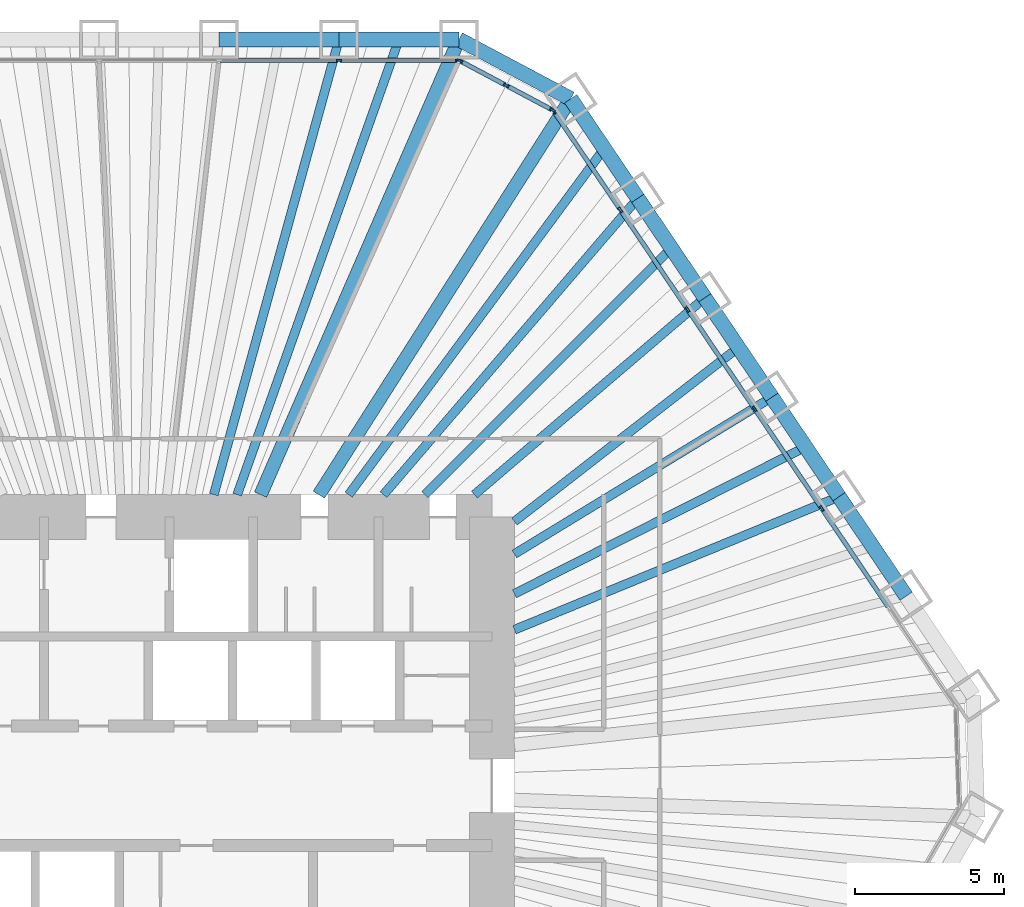
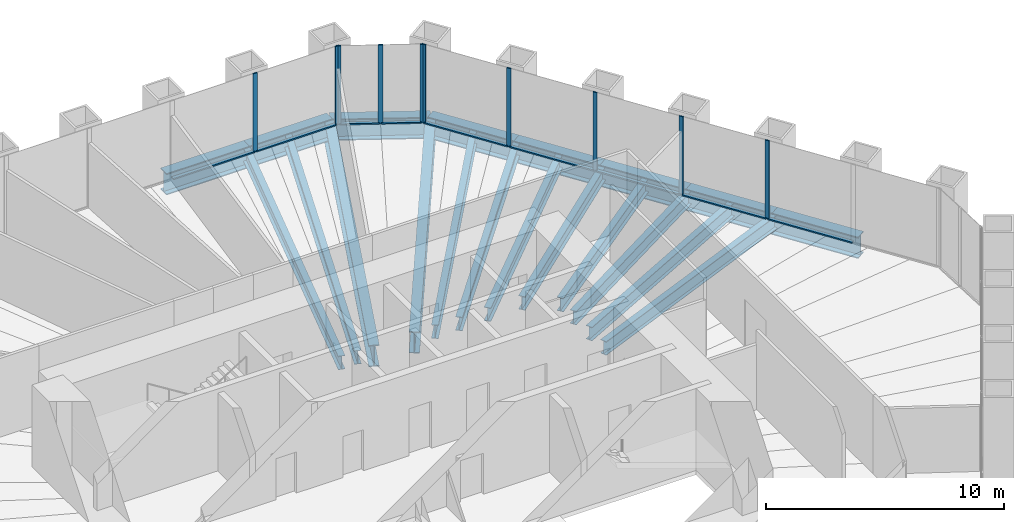
# One storey, part 7 of 13: 20 beams, 19 members, 3 elements without a shape of their own.
"""IFC4 building model written with IfcOpenShell, lengths in metres."""

from ifc_helpers import new_model, si_unit, direction, frame, origin, origin_2d, place, context, subcontext, project, spatial, rectangle, i_section, extrude, material, material_profile, profile_set, type_object, element, aggregate, save


model = new_model("IFC4")

# Units and contexts
model_context = context("Model", 3, precision=1e-05, world=origin(), true_north=direction((0.0, 1.0)))
body_context = subcontext(model_context, "Body", "Model", "MODEL_VIEW")
ifc_project = project(units=[si_unit("LENGTHUNIT", "METRE"), si_unit("AREAUNIT", "SQUARE_METRE"), si_unit("VOLUMEUNIT", "CUBIC_METRE"), si_unit("PLANEANGLEUNIT", "RADIAN"), si_unit("MASSUNIT", "GRAM", prefix="KILO")], contexts=[model_context])

# Site, building, storey
site_placement = place(None, origin())
site = spatial("IfcSite", under=ifc_project, at=site_placement, CompositionType="ELEMENT")
building_placement = place(site_placement, origin())
building = spatial("IfcBuilding", under=site, at=building_placement, Name="Qingtian Harvest Tower", CompositionType="ELEMENT")
storey_placement = place(building_placement, frame((0.0, 0.0, 136.60009765625)))
storey = spatial("IfcBuildingStorey", under=building, at=storey_placement, Name="L28", CompositionType="ELEMENT", Elevation=136.60009765625)

# Beams
ifc_material_1 = material(Name="Steel SM570MC", Category="steel")
ifc_material_profile_1 = material_profile(ifc_material_1, i_section(OverallWidth=0.449951171875, OverallDepth=1.10009765625, WebThickness=0.02197265625, FlangeThickness=0.044921875, at=origin_2d()), Name="H1100x450x22x45")
ifc_profile_set_1 = profile_set([ifc_material_profile_1], Name="Steel SM570MC")
beam_type_1 = type_object("IfcBeamType", Name="Corner floor beam FB8 H1100x450x22x45", PredefinedType="BEAM", material=ifc_profile_set_1)
beam_1_placement = place(storey_placement, frame((10.892822265625, 25.0, -0.72021484375), z_axis=(-0.399451016538, -0.916754539333, 0.0), x_axis=(0.916754539333, -0.399451016538, 0.0)))
element("IfcBeam", 1, at=beam_1_placement, inside=storey, type_object=beam_type_1, Name="Floor beam FB8 N6", PredefinedType="BEAM", context=body_context, shape_type="SweptSolid", body=[
    extrude(i_section(OverallWidth=0.449951171875, OverallDepth=1.10009765625, WebThickness=0.02197265625, FlangeThickness=0.044921875, at=origin_2d()), origin(), (0.0, 0.0, 1.0), 16.634765625),
])
beam_2_placement = place(storey_placement, frame((14.634765625, 23.01025390625, -0.72021484375), z_axis=(-0.536660352939, -0.843798355997, 0.0), x_axis=(0.843798355997, -0.536660352939, 0.0)))
element("IfcBeam", 2, at=beam_2_placement, inside=storey, type_object=beam_type_1, Name="Floor beam FB8 NE0", PredefinedType="BEAM", context=body_context, shape_type="SweptSolid", body=[
    extrude(i_section(OverallWidth=0.449951171875, OverallDepth=1.10009765625, WebThickness=0.02197265625, FlangeThickness=0.044921875, at=origin_2d()), origin(), (0.0, 0.0, 1.0), 15.71484375),
])
ifc_material_2 = material(Name="Steel SN490B", Category="steel")
ifc_material_profile_2 = material_profile(ifc_material_2, i_section(OverallWidth=0.300048828125, OverallDepth=0.699951171875, WebThickness=0.012939453125, FlangeThickness=0.02392578125, at=origin_2d()), Name="H700x300x13x24")
ifc_profile_set_2 = profile_set([ifc_material_profile_2], Name="Steel SN490B")
beam_type_2 = type_object("IfcBeamType", Name="Floor beam FB2 H700x300x13x24", PredefinedType="BEAM", material=ifc_profile_set_2)
beam_3_placement = place(storey_placement, frame((6.873779296875, 25.0, -0.52001953125), z_axis=(-0.265119170108, -0.964215653078, 0.0), x_axis=(0.964215653078, -0.265119170108, 0.0)))
element("IfcBeam", 3, at=beam_3_placement, inside=storey, type_object=beam_type_2, Name="Floor beam FB2 N5", PredefinedType="BEAM", context=body_context, shape_type="SweptSolid", body=[
    extrude(i_section(OverallWidth=0.300048828125, OverallDepth=0.699951171875, WebThickness=0.012939453125, FlangeThickness=0.02392578125, at=origin_2d()), origin(), (0.0, 0.0, 1.0), 15.81591796875),
])
beam_4_placement = place(storey_placement, frame((16.88232421875, 19.67822265625, -0.52001953125), z_axis=(-0.651140196702, -0.758957471957, 0.0), x_axis=(0.758957471957, -0.651140196702, 0.0)))
element("IfcBeam", 4, at=beam_4_placement, inside=storey, type_object=beam_type_2, Name="Floor beam FB2 NE1", PredefinedType="BEAM", context=body_context, shape_type="SweptSolid", body=[
    extrude(i_section(OverallWidth=0.300048828125, OverallDepth=0.699951171875, WebThickness=0.012939453125, FlangeThickness=0.02392578125, at=origin_2d()), origin(), (0.0, 0.0, 1.0), 13.081298828125),
])
beam_5_placement = place(storey_placement, frame((19.129638671875, 16.346435546875, -0.52001953125), z_axis=(-0.760241810635, -0.649640199928, 0.0), x_axis=(0.649640199928, -0.760241810635, 0.0)))
element("IfcBeam", 5, at=beam_5_placement, inside=storey, type_object=beam_type_2, Name="Floor beam FB2 NE2", PredefinedType="BEAM", context=body_context, shape_type="SweptSolid", body=[
    extrude(i_section(OverallWidth=0.300048828125, OverallDepth=0.699951171875, WebThickness=0.012939453125, FlangeThickness=0.02392578125, at=origin_2d()), origin(), (0.0, 0.0, 1.0), 10.154052734375),
])
beam_6_placement = place(storey_placement, frame((21.377197265625, 13.014404296875, -0.52001953125), z_axis=(-0.854160745245, -0.520009058846, 0.0), x_axis=(0.520009058846, -0.854160745245, 0.0)))
element("IfcBeam", 6, at=beam_6_placement, inside=storey, type_object=beam_type_2, Name="Floor beam FB2 NE3", PredefinedType="BEAM", context=body_context, shape_type="SweptSolid", body=[
    extrude(i_section(OverallWidth=0.300048828125, OverallDepth=0.699951171875, WebThickness=0.012939453125, FlangeThickness=0.02392578125, at=origin_2d()), origin(), (0.0, 0.0, 1.0), 10.10009765625),
])
beam_7_placement = place(storey_placement, frame((23.62451171875, 9.682373046875, -0.52001953125), z_axis=(-0.925304541163, -0.379224875375, 0.0), x_axis=(0.379224875375, -0.925304541163, 0.0)))
element("IfcBeam", 7, at=beam_7_placement, inside=storey, type_object=beam_type_2, Name="Floor beam FB2 NE4", PredefinedType="BEAM", context=body_context, shape_type="SweptSolid", body=[
    extrude(i_section(OverallWidth=0.300048828125, OverallDepth=0.699951171875, WebThickness=0.012939453125, FlangeThickness=0.02392578125, at=origin_2d()), origin(), (0.0, 0.0, 1.0), 11.75244140625),
])
ifc_material_3 = material(Name="Steel SN490B", Category="steel")
ifc_material_profile_3 = material_profile(ifc_material_3, i_section(OverallWidth=0.300048828125, OverallDepth=0.699951171875, WebThickness=0.012939453125, FlangeThickness=0.02392578125, at=origin_2d()), Name="H700x300x13x24")
ifc_profile_set_3 = profile_set([ifc_material_profile_3], Name="Steel SN490B")
beam_type_3 = type_object("IfcBeamType", Name="Floor joist J2 H700x300x13x24", PredefinedType="JOIST", material=ifc_profile_set_3)
beam_8_placement = place(storey_placement, frame((8.88330078125, 25.0, -0.52001953125), z_axis=(-0.334829909573, -0.94227858495, 0.0), x_axis=(0.94227858495, -0.334829909573, 0.0)))
element("IfcBeam", 8, at=beam_8_placement, inside=storey, type_object=beam_type_3, Name="Floor joist J2 N5", PredefinedType="JOIST", context=body_context, shape_type="SweptSolid", body=[
    extrude(i_section(OverallWidth=0.300048828125, OverallDepth=0.699951171875, WebThickness=0.012939453125, FlangeThickness=0.02392578125, at=origin_2d()), origin(), (0.0, 0.0, 1.0), 16.18408203125),
])
beam_9_placement = place(storey_placement, frame((15.758544921875, 21.34423828125, -0.52001953125), z_axis=(-0.593960386058, -0.804494288229, 0.0), x_axis=(0.804494288229, -0.593960386058, 0.0)))
element("IfcBeam", 9, at=beam_9_placement, inside=storey, type_object=beam_type_3, Name="Floor joist J2 NE0", PredefinedType="JOIST", context=body_context, shape_type="SweptSolid", body=[
    extrude(i_section(OverallWidth=0.300048828125, OverallDepth=0.699951171875, WebThickness=0.012939453125, FlangeThickness=0.02392578125, at=origin_2d()), origin(), (0.0, 0.0, 1.0), 14.411865234375),
])
beam_10_placement = place(storey_placement, frame((18.005859375, 18.012451171875, -0.52001953125), z_axis=(-0.706970932755, -0.707242603524, 0.0), x_axis=(0.707242603524, -0.706970932755, 0.0)))
element("IfcBeam", 10, at=beam_10_placement, inside=storey, type_object=beam_type_3, Name="Floor joist J2 NE1", PredefinedType="JOIST", context=body_context, shape_type="SweptSolid", body=[
    extrude(i_section(OverallWidth=0.300048828125, OverallDepth=0.699951171875, WebThickness=0.012939453125, FlangeThickness=0.02392578125, at=origin_2d()), origin(), (0.0, 0.0, 1.0), 11.6826171875),
])
beam_11_placement = place(storey_placement, frame((20.25341796875, 14.680419921875, -0.52001953125), z_axis=(-0.789641272199, -0.61356879096, 0.0), x_axis=(0.61356879096, -0.789641272199, 0.0)))
element("IfcBeam", 11, at=beam_11_placement, inside=storey, type_object=beam_type_3, Name="Floor joist J2 NE2", PredefinedType="JOIST", context=body_context, shape_type="SweptSolid", body=[
    extrude(i_section(OverallWidth=0.300048828125, OverallDepth=0.699951171875, WebThickness=0.012939453125, FlangeThickness=0.02392578125, at=origin_2d()), origin(), (0.0, 0.0, 1.0), 9.502197265625),
])
beam_12_placement = place(storey_placement, frame((22.500732421875, 11.348388671875, -0.52001953125), z_axis=(-0.892861323685, -0.450331718478, 0.0), x_axis=(0.450331718478, -0.892861323685, 0.0)))
element("IfcBeam", 12, at=beam_12_placement, inside=storey, type_object=beam_type_3, Name="Floor joist J2 NE3", PredefinedType="JOIST", context=body_context, shape_type="SweptSolid", body=[
    extrude(i_section(OverallWidth=0.300048828125, OverallDepth=0.699951171875, WebThickness=0.012939453125, FlangeThickness=0.02392578125, at=origin_2d()), origin(), (0.0, 0.0, 1.0), 10.920654296875),
])

# Curtain wall, members
ifc_material_4 = material(Name="Bronze-anodised aluminium curtain wall", Category="aluminium")
curtain_wall_type = type_object("IfcCurtainWallType", Name="Curtain wall CW4 office", PredefinedType="USERDEFINED", material=ifc_material_4)
curtain_wall_1_placement = place(storey_placement, origin())
curtain_wall_1 = element("IfcCurtainWall", 13, at=curtain_wall_1_placement, inside=storey, type_object=curtain_wall_type, Name="Curtain wall CW4 L28 N0-5", ObjectType="RECESSED CURTAIN WALL", PredefinedType="USERDEFINED")
ifc_material_5 = material(Name="Bronze-anodised aluminium mullion", Category="aluminium")
ifc_material_profile_4 = material_profile(ifc_material_5, rectangle(XDim=0.06494140625, YDim=0.199951171875, at=origin_2d()), Name="AL 65x200")
ifc_profile_set_4 = profile_set([ifc_material_profile_4], Name="Bronze-anodised aluminium mullion")
member_type_1 = type_object("IfcMemberType", Name="Mullion CWM 65x200", PredefinedType="MULLION", material=ifc_profile_set_4)
member_1_placement = place(storey_placement, frame((6.873779296875, 24.300048828125, 0.0), z_axis=(0.0, 0.0, 1.0), x_axis=(0.0, 1.0, 0.0)))
member_1 = element("IfcMember", 14, at=member_1_placement, type_object=member_type_1, Name="CW4 mullion 6", PredefinedType="MULLION", context=body_context, shape_type="SweptSolid", body=[
    extrude(rectangle(XDim=0.06494140625, YDim=0.199951171875, at=origin_2d()), origin(), (0.0, 0.0, 1.0), 4.02978515625),
])
member_2_placement = place(storey_placement, frame((10.8603515625, 24.300048828125, 0.0), z_axis=(0.0, 0.0, 1.0), x_axis=(0.0, 1.0, 0.0)))
member_2 = element("IfcMember", 15, at=member_2_placement, type_object=member_type_1, Name="CW4 mullion 7", PredefinedType="MULLION", context=body_context, shape_type="SweptSolid", body=[
    extrude(rectangle(XDim=0.06494140625, YDim=0.199951171875, at=origin_2d()), origin(), (0.0, 0.0, 1.0), 4.02978515625),
])

curtain_wall_2_placement = place(storey_placement, origin())
curtain_wall_2 = element("IfcCurtainWall", 16, at=curtain_wall_2_placement, inside=storey, type_object=curtain_wall_type, Name="Curtain wall CW4 L28 NC", ObjectType="RECESSED CURTAIN WALL", PredefinedType="USERDEFINED")
member_3_placement = place(storey_placement, frame((10.92138671875, 24.28466796875, 0.0), z_axis=(0.0, 0.0, 1.0), x_axis=(0.469471562786, 0.882947592859, 0.0)))
member_3 = element("IfcMember", 17, at=member_3_placement, type_object=member_type_1, Name="CW4 mullion 1", PredefinedType="MULLION", context=body_context, shape_type="SweptSolid", body=[
    extrude(rectangle(XDim=0.06494140625, YDim=0.199951171875, at=origin_2d()), origin(), (0.0, 0.0, 1.0), 4.02978515625),
])
member_4_placement = place(storey_placement, frame((12.4736328125, 23.45947265625, 0.0), z_axis=(0.0, 0.0, 1.0), x_axis=(0.469471562786, 0.882947592859, 0.0)))
member_4 = element("IfcMember", 18, at=member_4_placement, type_object=member_type_1, Name="CW4 mullion 2", PredefinedType="MULLION", context=body_context, shape_type="SweptSolid", body=[
    extrude(rectangle(XDim=0.06494140625, YDim=0.199951171875, at=origin_2d()), origin(), (0.0, 0.0, 1.0), 4.02978515625),
])
member_5_placement = place(storey_placement, frame((14.02587890625, 22.634033203125, 0.0), z_axis=(0.0, 0.0, 1.0), x_axis=(0.469471562786, 0.882947592859, 0.0)))
member_5 = element("IfcMember", 19, at=member_5_placement, type_object=member_type_1, Name="CW4 mullion 3", PredefinedType="MULLION", context=body_context, shape_type="SweptSolid", body=[
    extrude(rectangle(XDim=0.06494140625, YDim=0.199951171875, at=origin_2d()), origin(), (0.0, 0.0, 1.0), 4.02978515625),
])

curtain_wall_3_placement = place(storey_placement, origin())
curtain_wall_3 = element("IfcCurtainWall", 20, at=curtain_wall_3_placement, inside=storey, type_object=curtain_wall_type, Name="Curtain wall CW4 L28 NE0-5", ObjectType="RECESSED CURTAIN WALL", PredefinedType="USERDEFINED")
member_6_placement = place(storey_placement, frame((14.07275390625, 22.592041015625, 0.0), z_axis=(0.0, 0.0, 1.0), x_axis=(0.829037572555, 0.559192903471, 0.0)))
member_6 = element("IfcMember", 21, at=member_6_placement, type_object=member_type_1, Name="CW4 mullion 1", PredefinedType="MULLION", context=body_context, shape_type="SweptSolid", body=[
    extrude(rectangle(XDim=0.06494140625, YDim=0.199951171875, at=origin_2d()), origin(), (0.0, 0.0, 1.0), 4.02978515625),
])
member_7_placement = place(storey_placement, frame((16.302001953125, 19.286865234375, 0.0), z_axis=(0.0, 0.0, 1.0), x_axis=(0.829037572555, 0.559192903471, 0.0)))
member_7 = element("IfcMember", 22, at=member_7_placement, type_object=member_type_1, Name="CW4 mullion 2", PredefinedType="MULLION", context=body_context, shape_type="SweptSolid", body=[
    extrude(rectangle(XDim=0.06494140625, YDim=0.199951171875, at=origin_2d()), origin(), (0.0, 0.0, 1.0), 4.02978515625),
])
member_8_placement = place(storey_placement, frame((18.54931640625, 15.954833984375, 0.0), z_axis=(0.0, 0.0, 1.0), x_axis=(0.829037572555, 0.559192903471, 0.0)))
member_8 = element("IfcMember", 23, at=member_8_placement, type_object=member_type_1, Name="CW4 mullion 3", PredefinedType="MULLION", context=body_context, shape_type="SweptSolid", body=[
    extrude(rectangle(XDim=0.06494140625, YDim=0.199951171875, at=origin_2d()), origin(), (0.0, 0.0, 1.0), 4.02978515625),
])
member_9_placement = place(storey_placement, frame((20.796875, 12.623046875, 0.0), z_axis=(0.0, 0.0, 1.0), x_axis=(0.829037572555, 0.559192903471, 0.0)))
member_9 = element("IfcMember", 24, at=member_9_placement, type_object=member_type_1, Name="CW4 mullion 4", PredefinedType="MULLION", context=body_context, shape_type="SweptSolid", body=[
    extrude(rectangle(XDim=0.06494140625, YDim=0.199951171875, at=origin_2d()), origin(), (0.0, 0.0, 1.0), 4.02978515625),
])
member_10_placement = place(storey_placement, frame((23.044189453125, 9.291015625, 0.0), z_axis=(0.0, 0.0, 1.0), x_axis=(0.829037572555, 0.559192903471, 0.0)))
member_10 = element("IfcMember", 25, at=member_10_placement, type_object=member_type_1, Name="CW4 mullion 5", PredefinedType="MULLION", context=body_context, shape_type="SweptSolid", body=[
    extrude(rectangle(XDim=0.06494140625, YDim=0.199951171875, at=origin_2d()), origin(), (0.0, 0.0, 1.0), 4.02978515625),
])

# Beams
ifc_material_6 = material(Name="Steel SM570MC", Category="steel")
ifc_material_profile_5 = material_profile(ifc_material_6, i_section(OverallWidth=0.5, OverallDepth=1.10009765625, WebThickness=0.02490234375, FlangeThickness=0.050048828125, at=origin_2d()), Name="H1100x500x25x50")
ifc_profile_set_5 = profile_set([ifc_material_profile_5], Name="Steel SM570MC")
beam_type_4 = type_object("IfcBeamType", Name="Spandrel beam SB2 H1100x500x25x50", PredefinedType="SPANDREL", material=ifc_profile_set_5)
beam_13_placement = place(storey_placement, frame((2.8544921875, 25.0, -0.550048828125), z_axis=(1.0, 0.0, 0.0), x_axis=(0.0, 1.0, 0.0)))
element("IfcBeam", 26, at=beam_13_placement, inside=storey, type_object=beam_type_4, Name="Spandrel SB2 N4", PredefinedType="SPANDREL", context=body_context, shape_type="SweptSolid", body=[
    extrude(i_section(OverallWidth=0.5, OverallDepth=1.10009765625, WebThickness=0.02490234375, FlangeThickness=0.050048828125, at=origin_2d()), origin(), (0.0, 0.0, 1.0), 4.019287109375),
])
beam_14_placement = place(storey_placement, frame((6.873779296875, 25.0, -0.550048828125), z_axis=(1.0, 0.0, 0.0), x_axis=(0.0, 1.0, 0.0)))
element("IfcBeam", 27, at=beam_14_placement, inside=storey, type_object=beam_type_4, Name="Spandrel SB2 N5", PredefinedType="SPANDREL", context=body_context, shape_type="SweptSolid", body=[
    extrude(i_section(OverallWidth=0.5, OverallDepth=1.10009765625, WebThickness=0.02490234375, FlangeThickness=0.050048828125, at=origin_2d()), origin(), (0.0, 0.0, 1.0), 4.01904296875),
])
beam_15_placement = place(storey_placement, frame((10.892822265625, 25.0, -0.550048828125), z_axis=(0.882935902835, -0.469493547863, 0.0), x_axis=(0.469493547863, 0.882935902835, 0.0)))
element("IfcBeam", 28, at=beam_15_placement, inside=storey, type_object=beam_type_4, Name="Spandrel SB2 NC", PredefinedType="SPANDREL", context=body_context, shape_type="SweptSolid", body=[
    extrude(i_section(OverallWidth=0.5, OverallDepth=1.10009765625, WebThickness=0.02490234375, FlangeThickness=0.050048828125, at=origin_2d()), origin(), (0.0, 0.0, 1.0), 4.238037109375),
])
beam_16_placement = place(storey_placement, frame((14.634765625, 23.01025390625, -0.550048828125), z_axis=(0.559205752254, -0.829028905796, 0.0), x_axis=(0.829028905796, 0.559205752254, 0.0)))
element("IfcBeam", 29, at=beam_16_placement, inside=storey, type_object=beam_type_4, Name="Spandrel SB2 NE0", PredefinedType="SPANDREL", context=body_context, shape_type="SweptSolid", body=[
    extrude(i_section(OverallWidth=0.5, OverallDepth=1.10009765625, WebThickness=0.02490234375, FlangeThickness=0.050048828125, at=origin_2d()), origin(), (0.0, 0.0, 1.0), 4.019287109375),
])
beam_17_placement = place(storey_placement, frame((16.88232421875, 19.67822265625, -0.550048828125), z_axis=(0.55919216322, -0.82903807186, 0.0), x_axis=(0.82903807186, 0.55919216322, 0.0)))
element("IfcBeam", 30, at=beam_17_placement, inside=storey, type_object=beam_type_4, Name="Spandrel SB2 NE1", PredefinedType="SPANDREL", context=body_context, shape_type="SweptSolid", body=[
    extrude(i_section(OverallWidth=0.5, OverallDepth=1.10009765625, WebThickness=0.02490234375, FlangeThickness=0.050048828125, at=origin_2d()), origin(), (0.0, 0.0, 1.0), 4.018798828125),
])
beam_18_placement = place(storey_placement, frame((19.129638671875, 16.346435546875, -0.550048828125), z_axis=(0.559205752254, -0.829028905796, 0.0), x_axis=(0.829028905796, 0.559205752254, 0.0)))
element("IfcBeam", 31, at=beam_18_placement, inside=storey, type_object=beam_type_4, Name="Spandrel SB2 NE2", PredefinedType="SPANDREL", context=body_context, shape_type="SweptSolid", body=[
    extrude(i_section(OverallWidth=0.5, OverallDepth=1.10009765625, WebThickness=0.02490234375, FlangeThickness=0.050048828125, at=origin_2d()), origin(), (0.0, 0.0, 1.0), 4.019287109375),
])
for number, where, z_axis, x_axis, name in (
    (32, (21.377197265625, 13.014404296875, -0.550048828125), (0.55916400171, -0.829057066306, 0.0), (0.829057066306, 0.55916400171, 0.0), "Spandrel SB2 NE3"),
    (33, (23.62451171875, 9.682373046875, -0.550048828125), (0.559233913953, -0.829009909159, 0.0), (0.829009909159, 0.559233913953, 0.0), "Spandrel SB2 NE4"),
):
    element("IfcBeam", number, at=place(storey_placement, frame(where, z_axis=z_axis, x_axis=x_axis)), inside=storey, type_object=beam_type_4, Name=name, PredefinedType="SPANDREL", context=body_context, shape_type="SweptSolid", body=[
        extrude(i_section(OverallWidth=0.5, OverallDepth=1.10009765625, WebThickness=0.02490234375, FlangeThickness=0.050048828125, at=origin_2d()), origin(), (0.0, 0.0, 1.0), 4.01904296875),
    ])

# Member
ifc_material_7 = material(Name="Bronze-anodised aluminium transom", Category="aluminium")
ifc_material_profile_6 = material_profile(ifc_material_7, rectangle(XDim=0.14990234375, YDim=0.06494140625, at=origin_2d()), Name="AL 65x150")
ifc_profile_set_6 = profile_set([ifc_material_profile_6], Name="Bronze-anodised aluminium transom")
member_type_2 = type_object("IfcMemberType", Name="Transom CWT 65x150", PredefinedType="USERDEFINED", material=ifc_profile_set_6)
member_11_placement = place(storey_placement, frame((2.886962890625, 24.300048828125, 0.032470703125), z_axis=(1.0, 0.0, 0.0), x_axis=(0.0, 1.0, 0.0)))
member_11 = element("IfcMember", 34, at=member_11_placement, type_object=member_type_2, Name="CW4 transom 5.1", ObjectType="TRANSOM", PredefinedType="USERDEFINED", context=body_context, shape_type="SweptSolid", body=[
    extrude(rectangle(XDim=0.14990234375, YDim=0.06494140625, at=origin_2d()), origin(), (0.0, 0.0, 1.0), 3.9541015625),
])

member_12_placement = place(storey_placement, frame((6.90625, 24.300048828125, 0.032470703125), z_axis=(1.0, 0.0, 0.0), x_axis=(0.0, 1.0, 0.0)))
member_12 = element("IfcMember", 35, at=member_12_placement, type_object=member_type_2, Name="CW4 transom 6.1", ObjectType="TRANSOM", PredefinedType="USERDEFINED", context=body_context, shape_type="SweptSolid", body=[
    extrude(rectangle(XDim=0.14990234375, YDim=0.06494140625, at=origin_2d()), origin(), (0.0, 0.0, 1.0), 3.92138671875),
])

aggregate(curtain_wall_1, [member_1, member_2, member_11, member_12])

member_13_placement = place(storey_placement, frame((10.9501953125, 24.26953125, 0.032470703125), z_axis=(0.882895287784, -0.469569921108, 0.0), x_axis=(0.469569921108, 0.882895287784, 0.0)))
member_13 = element("IfcMember", 36, at=member_13_placement, type_object=member_type_2, Name="CW4 transom 1.1", ObjectType="TRANSOM", PredefinedType="USERDEFINED", context=body_context, shape_type="SweptSolid", body=[
    extrude(rectangle(XDim=0.14990234375, YDim=0.06494140625, at=origin_2d()), origin(), (0.0, 0.0, 1.0), 1.69287109375),
])

member_14_placement = place(storey_placement, frame((12.502197265625, 23.444091796875, 0.032470703125), z_axis=(0.882986854304, -0.469397715297, 0.0), x_axis=(0.469397715297, 0.882986854304, 0.0)))
member_14 = element("IfcMember", 37, at=member_14_placement, type_object=member_type_2, Name="CW4 transom 2.1", ObjectType="TRANSOM", PredefinedType="USERDEFINED", context=body_context, shape_type="SweptSolid", body=[
    extrude(rectangle(XDim=0.14990234375, YDim=0.06494140625, at=origin_2d()), origin(), (0.0, 0.0, 1.0), 1.69287109375),
])

aggregate(curtain_wall_2, [member_3, member_4, member_5, member_13, member_14])

member_15_placement = place(storey_placement, frame((14.0908203125, 22.56494140625, 0.032470703125), z_axis=(0.55920336949, -0.82903051304, 0.0), x_axis=(0.82903051304, 0.55920336949, 0.0)))
member_15 = element("IfcMember", 38, at=member_15_placement, type_object=member_type_2, Name="CW4 transom 1.1", ObjectType="TRANSOM", PredefinedType="USERDEFINED", context=body_context, shape_type="SweptSolid", body=[
    extrude(rectangle(XDim=0.14990234375, YDim=0.06494140625, at=origin_2d()), origin(), (0.0, 0.0, 1.0), 3.92138671875),
])

member_16_placement = place(storey_placement, frame((16.320068359375, 19.260009765625, 0.032470703125), z_axis=(0.55920878069, -0.829026863014, 0.0), x_axis=(0.829026863014, 0.55920878069, 0.0)))
member_16 = element("IfcMember", 39, at=member_16_placement, type_object=member_type_2, Name="CW4 transom 2.1", ObjectType="TRANSOM", PredefinedType="USERDEFINED", context=body_context, shape_type="SweptSolid", body=[
    extrude(rectangle(XDim=0.14990234375, YDim=0.06494140625, at=origin_2d()), origin(), (0.0, 0.0, 1.0), 3.9541015625),
])

member_17_placement = place(storey_placement, frame((18.567626953125, 15.927978515625, 0.032470703125), z_axis=(0.559166343236, -0.82905548704, 0.0), x_axis=(0.82905548704, 0.559166343236, 0.0)))
member_17 = element("IfcMember", 40, at=member_17_placement, type_object=member_type_2, Name="CW4 transom 3.1", ObjectType="TRANSOM", PredefinedType="USERDEFINED", context=body_context, shape_type="SweptSolid", body=[
    extrude(rectangle(XDim=0.14990234375, YDim=0.06494140625, at=origin_2d()), origin(), (0.0, 0.0, 1.0), 3.9541015625),
])

member_18_placement = place(storey_placement, frame((20.81494140625, 12.595947265625, 0.032470703125), z_axis=(0.55920878069, -0.829026863014, 0.0), x_axis=(0.829026863014, 0.55920878069, 0.0)))
member_18 = element("IfcMember", 41, at=member_18_placement, type_object=member_type_2, Name="CW4 transom 4.1", ObjectType="TRANSOM", PredefinedType="USERDEFINED", context=body_context, shape_type="SweptSolid", body=[
    extrude(rectangle(XDim=0.14990234375, YDim=0.06494140625, at=origin_2d()), origin(), (0.0, 0.0, 1.0), 3.9541015625),
])

member_19_placement = place(storey_placement, frame((23.0625, 9.26416015625, 0.032470703125), z_axis=(0.559166343236, -0.82905548704, 0.0), x_axis=(0.82905548704, 0.559166343236, 0.0)))
member_19 = element("IfcMember", 42, at=member_19_placement, type_object=member_type_2, Name="CW4 transom 5.1", ObjectType="TRANSOM", PredefinedType="USERDEFINED", context=body_context, shape_type="SweptSolid", body=[
    extrude(rectangle(XDim=0.14990234375, YDim=0.06494140625, at=origin_2d()), origin(), (0.0, 0.0, 1.0), 3.9541015625),
])

aggregate(curtain_wall_3, [member_6, member_7, member_8, member_9, member_10, member_15, member_16, member_17, member_18, member_19])

save(model, "model.ifc")
